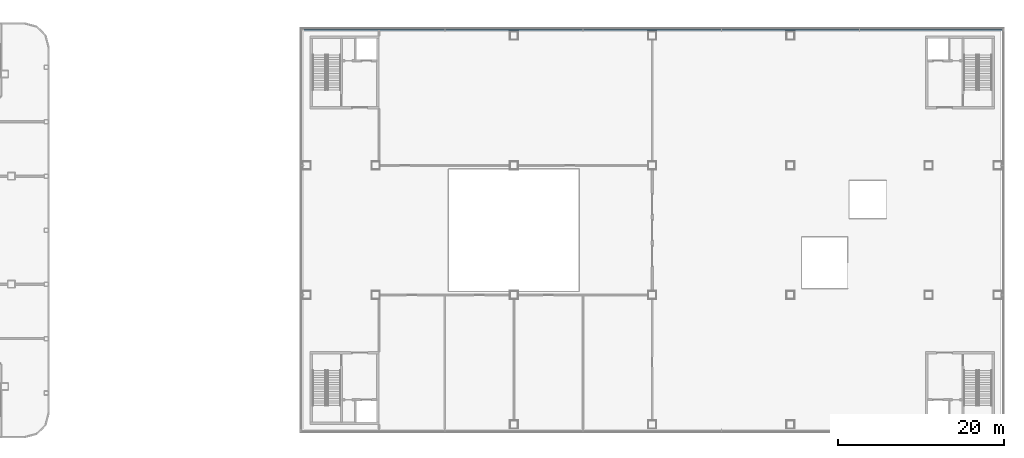
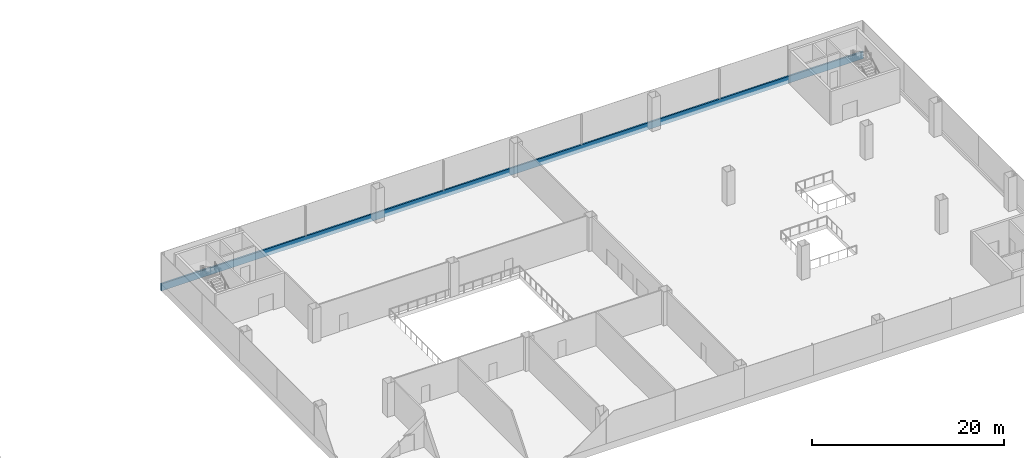
# One storey, part 14 of 53: 1 member, 1 element without a shape of its own.
"""IFC4 building model written with IfcOpenShell, lengths in metres."""

from ifc_helpers import new_model, si_unit, direction, frame, origin, origin_2d, place, context, subcontext, project, spatial, rectangle, extrude, material, layer, layer_set, material_profile, profile_set, type_object, element, aggregate, save


model = new_model("IFC4")

# Units and contexts
model_context = context("Model", 3, precision=1e-05, world=origin(), true_north=direction((0.0, 1.0)))
body_context = subcontext(model_context, "Body", "Model", "MODEL_VIEW")
ifc_project = project(units=[si_unit("LENGTHUNIT", "METRE"), si_unit("AREAUNIT", "SQUARE_METRE"), si_unit("VOLUMEUNIT", "CUBIC_METRE"), si_unit("PLANEANGLEUNIT", "RADIAN"), si_unit("MASSUNIT", "GRAM", prefix="KILO")], contexts=[model_context])

# Site, building, storey
site_placement = place(None, origin())
site = spatial("IfcSite", under=ifc_project, at=site_placement, CompositionType="ELEMENT")
building_placement = place(site_placement, origin())
building = spatial("IfcBuilding", under=site, at=building_placement, Name="Hakoniwa Tower and Hamabe Station Hall", CompositionType="ELEMENT")
storey_placement = place(building_placement, frame((0.0, 0.0, 15.0)))
storey = spatial("IfcBuildingStorey", under=building, at=storey_placement, Name="L03", CompositionType="ELEMENT", Elevation=15.0)

# Curtain wall, member
ifc_material_1 = material(Name="Dark low-e laminated glass", Category="glass")
ifc_layer = layer(ifc_material_1, 0.199951171875)
ifc_layer_set = layer_set([ifc_layer], Name="CW-7 STATION")
curtain_wall_type = type_object("IfcCurtainWallType", Name="CW-7 STATION", PredefinedType="NOTDEFINED", material=ifc_layer_set)
curtain_wall_placement = place(storey_placement, origin())
curtain_wall = element("IfcCurtainWall", 1, at=curtain_wall_placement, inside=storey, type_object=curtain_wall_type, Name="Station curtain wall L03 north", PredefinedType="NOTDEFINED")
ifc_material_2 = material(Name="Aluminium 6063-T5 black anodised", Category="aluminium")
ifc_material_profile = material_profile(ifc_material_2, rectangle(XDim=0.199951171875, YDim=0.89990234375, at=origin_2d()), Name="CW SLAB-EDGE BAND 900X200")
ifc_profile_set = profile_set([ifc_material_profile], Name="Aluminium 6063-T5 black anodised")
member_type = type_object("IfcMemberType", Name="CW SLAB-EDGE BAND 900X200", PredefinedType="USERDEFINED", material=ifc_profile_set)
member_placement = place(storey_placement, frame((169.85009765625, 24.199951171875, -0.10009765625), z_axis=(-1.0, 0.0, 0.0), x_axis=(0.0, -1.0, 0.0)))
member = element("IfcMember", 2, at=member_placement, type_object=member_type, Name="CW-7 transom", ObjectType="TRANSOM", PredefinedType="USERDEFINED", context=body_context, shape_type="SweptSolid", body=[
    extrude(rectangle(XDim=0.199951171875, YDim=0.89990234375, at=origin_2d()), origin(), (0.0, 0.0, 1.0), 84.60009765625),
])
aggregate(curtain_wall, [member])

save(model, "model.ifc")
